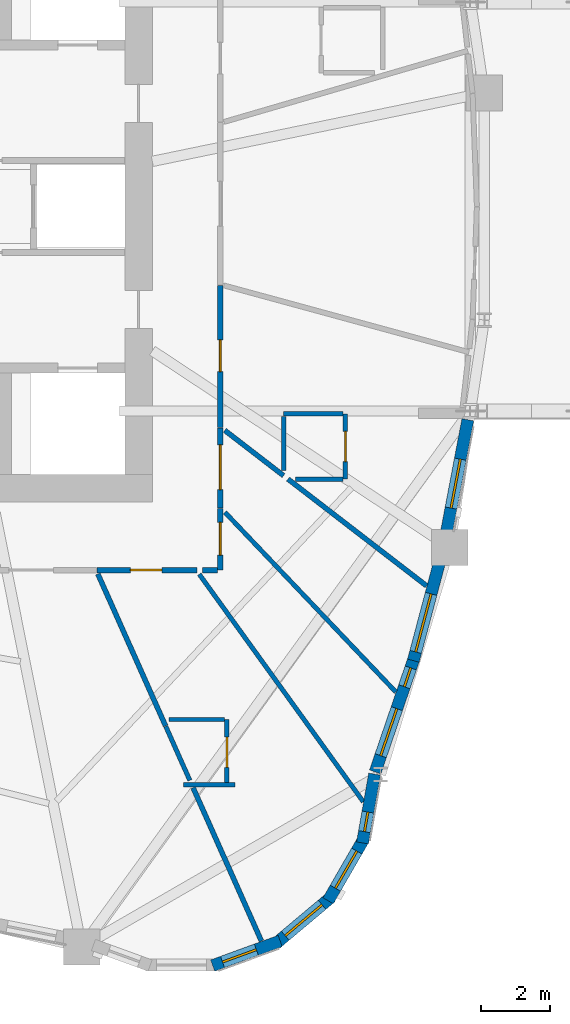
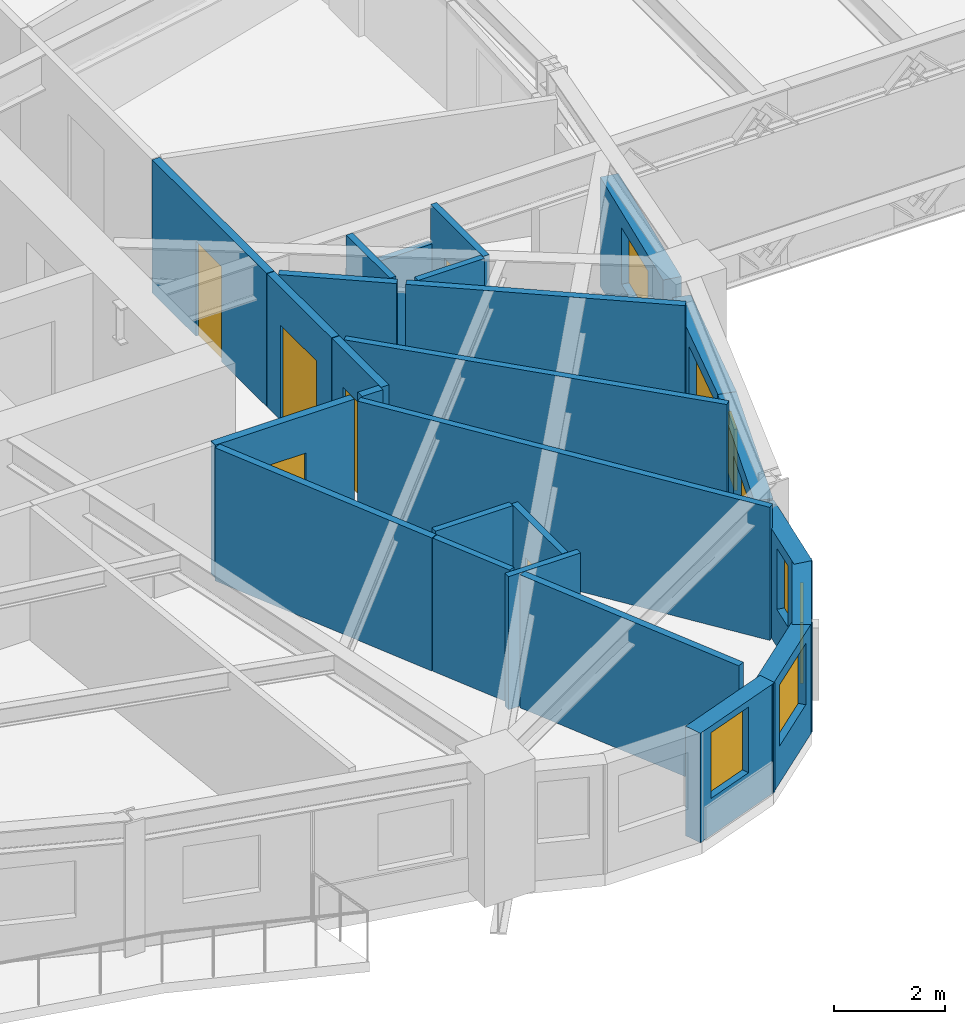
# One storey, part 9 of 18: 26 walls, 8 windows, 6 doors, 14 openings.
"""IFC4 building model written with IfcOpenShell, lengths in metres."""

from ifc_helpers import new_model, si_unit, direction, frame, frame_2d, origin, place, context, subcontext, project, spatial, rectangle, extrude, source, transform, mapped, material, layer, layer_set, type_object, element, fill, save


model = new_model("IFC4")

# Units and contexts
model_context = context("Model", 3, precision=1e-05, world=origin(), true_north=direction((0.0, 1.0)))
body_context = subcontext(model_context, "Body", "Model", "MODEL_VIEW")
ifc_project = project(units=[si_unit("LENGTHUNIT", "METRE"), si_unit("AREAUNIT", "SQUARE_METRE"), si_unit("VOLUMEUNIT", "CUBIC_METRE"), si_unit("PLANEANGLEUNIT", "RADIAN"), si_unit("MASSUNIT", "GRAM", prefix="KILO")], contexts=[model_context])

# Site, building, storey
site_placement = place(None, origin())
site = spatial("IfcSite", under=ifc_project, at=site_placement, CompositionType="ELEMENT")
building_placement = place(site_placement, origin())
building = spatial("IfcBuilding", under=site, at=building_placement, Name="Qafzar Sky-Pleat Residences", CompositionType="ELEMENT")
storey_placement = place(building_placement, frame((0.0, 0.0, 27.0)))
storey = spatial("IfcBuildingStorey", under=building, at=storey_placement, Name="L07", CompositionType="ELEMENT", Elevation=27.0)

# Wall, opening, door
ifc_material_1 = material(Name="Acoustic gypsum plasterboard partition", Category="gypsum")
ifc_layer_1 = layer(ifc_material_1, 0.159912109375)
ifc_layer_set_1 = layer_set([ifc_layer_1], Name="Acoustic gypsum plasterboard partition")
wall_type_1 = type_object("IfcWallType", Name="PART-COR-160", PredefinedType="PARTITIONING", material=ifc_layer_set_1)
wall_1_placement = place(storey_placement, frame((38.679931640625, 23.698974609375, 0.0), z_axis=(0.0, 0.0, 1.0), x_axis=(0.0, -1.0, 0.0)))
wall_1 = element("IfcWall", 1, at=wall_1_placement, inside=storey, type_object=wall_type_1, Name="L07 Partition Wall PART-L07-PW-006", PredefinedType="PARTITIONING", context=body_context, shape_type="SweptSolid", body=[
    extrude(rectangle(XDim=4.135009765625, YDim=0.159912109375, at=frame_2d((2.0673828125, 0.0))), origin(), (0.0, 0.0, 1.0), 2.93505859375),
])
opening_1_placement = place(wall_1_placement, frame((1.58251953125, 0.0, 0.0)))
opening_1 = element("IfcOpeningElement", 2, at=opening_1_placement, cuts=wall_1, Name="Opening ID-04", PredefinedType="OPENING", context=body_context, shape_type="SweptSolid", body=[
    extrude(rectangle(XDim=0.919921875, YDim=2.10009765625, at=frame_2d((0.4599609375, 1.050048828125))), frame((0.0, 0.08984375, 0.0), z_axis=(0.0, -1.0, 0.0), x_axis=(1.0, 0.0, 0.0)), (0.0, 0.0, 1.0), 0.179931640625),
])
ifc_material_2 = material(Name="Timber-faced fire door", Category="wood")
door_type_1 = type_object("IfcDoorType", Name="DR-BED-920", OperationType="NOTDEFINED", PredefinedType="DOOR", material=ifc_material_2)
shared_shape_1 = source(origin(), body_context, "Body", "SweptSolid", [
    extrude(rectangle(XDim=0.919921875, YDim=2.10009765625, at=frame_2d((0.4599609375, 1.050048828125))), frame((0.0, 0.02490234375, 0.0), z_axis=(0.0, -1.0, 0.0), x_axis=(1.0, 0.0, 0.0)), (0.0, 0.0, 1.0), 0.050048828125),
])
door_1_placement = place(opening_1_placement, origin())
door_1 = element("IfcDoor", 3, at=door_1_placement, inside=storey, type_object=door_type_1, Name="L07 Co-Living Bedroom 8 Door", OperationType="SINGLE_SWING_LEFT", OverallHeight=2.10009765625, OverallWidth=0.919921875, PredefinedType="DOOR", context=body_context, shape_type="MappedRepresentation", body=[
    mapped(shared_shape_1, transform((0.0, 0.0, 0.0), x_axis=(1.0, 0.0, 0.0), y_axis=(0.0, 1.0, 0.0), z_axis=(0.0, 0.0, 1.0), scale=1.0)),
])
fill(opening_1, door_1)

wall_2_placement = place(storey_placement, frame((37.9951171875, 15.419921875, 0.0), z_axis=(0.0, 0.0, 1.0), x_axis=(-1.0, 0.0, 0.0)))
wall_2 = element("IfcWall", 4, at=wall_2_placement, inside=storey, type_object=wall_type_1, Name="L07 Partition Wall PART-L07-PW-015", PredefinedType="PARTITIONING", context=body_context, shape_type="SweptSolid", body=[
    extrude(rectangle(XDim=2.900146484375, YDim=0.159912109375, at=frame_2d((1.4501953125, 0.0))), origin(), (0.0, 0.0, 1.0), 2.93505859375),
])
opening_2_placement = place(wall_2_placement, frame((1.014404296875, 0.0, 0.0)))
opening_2 = element("IfcOpeningElement", 5, at=opening_2_placement, cuts=wall_2, Name="Opening ID-04", PredefinedType="OPENING", context=body_context, shape_type="SweptSolid", body=[
    extrude(rectangle(XDim=0.919921875, YDim=2.10009765625, at=frame_2d((0.4599609375, 1.050048828125))), frame((0.0, 0.08984375, 0.0), z_axis=(0.0, -1.0, 0.0), x_axis=(1.0, 0.0, 0.0)), (0.0, 0.0, 1.0), 0.179931640625),
])
door_2_placement = place(opening_2_placement, origin())
door_2 = element("IfcDoor", 6, at=door_2_placement, inside=storey, type_object=door_type_1, Name="L07 Co-Living Bedroom 7 Door", OperationType="SINGLE_SWING_LEFT", OverallHeight=2.10009765625, OverallWidth=0.919921875, PredefinedType="DOOR", context=body_context, shape_type="MappedRepresentation", body=[
    mapped(shared_shape_1, transform((0.0, 0.0, 0.0), x_axis=(1.0, 0.0, 0.0), y_axis=(0.0, 1.0, 0.0), z_axis=(0.0, 0.0, 1.0), scale=1.0)),
])
fill(opening_2, door_2)

wall_3_placement = place(storey_placement, frame((38.679931640625, 19.549072265625, 0.0), z_axis=(0.0, 0.0, 1.0), x_axis=(0.0, -1.0, 0.0)))
wall_3 = element("IfcWall", 7, at=wall_3_placement, inside=storey, type_object=wall_type_1, Name="L07 Partition Wall PART-L07-PW-016", PredefinedType="PARTITIONING", context=body_context, shape_type="SweptSolid", body=[
    extrude(rectangle(XDim=2.3310546875, YDim=0.159912109375, at=frame_2d((1.16552734375, 0.0))), origin(), (0.0, 0.0, 1.0), 2.93505859375),
])
opening_3_placement = place(wall_3_placement, frame((0.487548828125, 0.0, 0.0)))
opening_3 = element("IfcOpeningElement", 8, at=opening_3_placement, cuts=wall_3, Name="Opening ID-05", PredefinedType="OPENING", context=body_context, shape_type="SweptSolid", body=[
    extrude(rectangle(XDim=1.300048828125, YDim=2.10009765625, at=frame_2d((0.64990234375, 1.050048828125))), frame((0.0, 0.08984375, 0.0), z_axis=(0.0, -1.0, 0.0), x_axis=(1.0, 0.0, 0.0)), (0.0, 0.0, 1.0), 0.179931640625),
])
door_type_2 = type_object("IfcDoorType", Name="DR-LNG-1300", OperationType="DOUBLE_DOOR_SINGLE_SWING", PredefinedType="DOOR", material=ifc_material_2)
shared_shape_2 = source(origin(), body_context, "Body", "SweptSolid", [
    extrude(rectangle(XDim=1.300048828125, YDim=2.10009765625, at=frame_2d((0.64990234375, 1.050048828125))), frame((0.0, 0.02490234375, 0.0), z_axis=(0.0, -1.0, 0.0), x_axis=(1.0, 0.0, 0.0)), (0.0, 0.0, 1.0), 0.050048828125),
])
door_3_placement = place(opening_3_placement, origin())
door_3 = element("IfcDoor", 9, at=door_3_placement, inside=storey, type_object=door_type_2, Name="L07 Scholar Study Room Door", OperationType="DOUBLE_DOOR_SINGLE_SWING", OverallHeight=2.10009765625, OverallWidth=1.300048828125, PredefinedType="DOOR", context=body_context, shape_type="MappedRepresentation", body=[
    mapped(shared_shape_2, transform((0.0, 0.0, 0.0), x_axis=(1.0, 0.0, 0.0), y_axis=(0.0, 1.0, 0.0), z_axis=(0.0, 0.0, 1.0), scale=1.0)),
])
fill(opening_3, door_3)

wall_4_placement = place(storey_placement, frame((38.679931640625, 17.202880859375, 0.0), z_axis=(0.0, 0.0, 1.0), x_axis=(0.0, -1.0, 0.0)))
wall_4 = element("IfcWall", 10, at=wall_4_placement, inside=storey, type_object=wall_type_1, Name="L07 Partition Wall PART-L07-PW-030", PredefinedType="PARTITIONING", context=body_context, shape_type="SweptSolid", body=[
    extrude(rectangle(XDim=1.782958984375, YDim=0.159912109375, at=frame_2d((0.8916015625, 0.0))), origin(), (0.0, 0.0, 1.0), 2.93505859375),
])
opening_4_placement = place(wall_4_placement, frame((0.39794921875, 0.0, 0.0)))
opening_4 = element("IfcOpeningElement", 11, at=opening_4_placement, cuts=wall_4, Name="Opening ID-08", PredefinedType="OPENING", context=body_context, shape_type="SweptSolid", body=[
    extrude(rectangle(XDim=0.949951171875, YDim=2.10009765625, at=frame_2d((0.47509765625, 1.050048828125))), frame((0.0, 0.08984375, 0.0), z_axis=(0.0, -1.0, 0.0), x_axis=(1.0, 0.0, 0.0)), (0.0, 0.0, 1.0), 0.179931640625),
])
door_type_3 = type_object("IfcDoorType", Name="DR-AWC-950", OperationType="NOTDEFINED", PredefinedType="DOOR", material=ifc_material_2)
shared_shape_3 = source(origin(), body_context, "Body", "SweptSolid", [
    extrude(rectangle(XDim=0.949951171875, YDim=2.10009765625, at=frame_2d((0.47509765625, 1.050048828125))), frame((0.0, 0.02490234375, 0.0), z_axis=(0.0, -1.0, 0.0), x_axis=(1.0, 0.0, 0.0)), (0.0, 0.0, 1.0), 0.050048828125),
])
door_4_placement = place(opening_4_placement, origin())
door_4 = element("IfcDoor", 12, at=door_4_placement, inside=storey, type_object=door_type_3, Name="L07 Accessible Shared Washroom Door", OperationType="SINGLE_SWING_RIGHT", OverallHeight=2.10009765625, OverallWidth=0.949951171875, PredefinedType="DOOR", context=body_context, shape_type="MappedRepresentation", body=[
    mapped(shared_shape_3, transform((0.0, 0.0, 0.0), x_axis=(1.0, 0.0, 0.0), y_axis=(0.0, 1.0, 0.0), z_axis=(0.0, 0.0, 1.0), scale=1.0)),
])
fill(opening_4, door_4)

# Walls
wall_5_placement = place(storey_placement, frame((38.15576171875, 15.419921875, 0.0), z_axis=(0.0, 0.0, 1.0), x_axis=(1.0, 0.0, 0.0)))
element("IfcWall", 13, at=wall_5_placement, inside=storey, type_object=wall_type_1, Name="L07 Partition Wall PART-L07-PW-097", PredefinedType="PARTITIONING", context=body_context, shape_type="SweptSolid", body=[
    extrude(rectangle(XDim=0.436279296875, YDim=0.159912109375, at=frame_2d((0.21826171875, 0.0))), origin(), (0.0, 0.0, 1.0), 2.93505859375),
])
ifc_layer_2 = layer(ifc_material_1, 0.14501953125)
ifc_layer_set_2 = layer_set([ifc_layer_2], Name="Acoustic gypsum plasterboard partition")
wall_type_2 = type_object("IfcWallType", Name="PART-UNIT-145", PredefinedType="PARTITIONING", material=ifc_layer_set_2)
wall_6_placement = place(storey_placement, frame((40.64892578125, 18.06591796875, 0.0), z_axis=(0.0, 0.0, 1.0), x_axis=(0.792155051101, -0.610319895641, 0.0)))
element("IfcWall", 14, at=wall_6_placement, inside=storey, type_object=wall_type_2, Name="L07 Partition Wall PART-L07-PW-048", PredefinedType="PARTITIONING", context=body_context, shape_type="SweptSolid", body=[
    extrude(rectangle(XDim=5.0927734375, YDim=0.14501953125, at=frame_2d((2.54638671875, 0.0))), origin(), (0.0, 0.0, 1.0), 2.93505859375),
])
wall_7_placement = place(storey_placement, frame((37.88720703125, 9.082275390625, 0.0), z_axis=(0.0, 0.0, 1.0), x_axis=(0.406941066305, -0.913454415149, 0.0)))
element("IfcWall", 15, at=wall_7_placement, inside=storey, type_object=wall_type_2, Name="L07 Partition Wall PART-L07-PW-049", PredefinedType="PARTITIONING", context=body_context, shape_type="SweptSolid", body=[
    extrude(rectangle(XDim=4.8818359375, YDim=0.14501953125, at=frame_2d((2.44091796875, 0.0))), origin(), (0.0, 0.0, 1.0), 2.93505859375),
])
wall_8_placement = place(storey_placement, frame((35.115966796875, 15.30322265625, 0.0), z_axis=(0.0, 0.0, 1.0), x_axis=(0.406910733823, -0.913467927571, 0.0)))
element("IfcWall", 16, at=wall_8_placement, inside=storey, type_object=wall_type_2, Name="L07 Partition Wall PART-L07-PW-050", PredefinedType="PARTITIONING", context=body_context, shape_type="SweptSolid", body=[
    extrude(rectangle(XDim=4.8388671875, YDim=0.14501953125, at=frame_2d((2.41943359375, 0.0))), origin(), (0.0, 0.0, 1.0), 2.93505859375),
])
wall_9_placement = place(storey_placement, frame((38.810546875, 19.482421875, 0.0), z_axis=(0.0, 0.0, 1.0), x_axis=(0.792185877025, -0.61027988353, 0.0)))
element("IfcWall", 17, at=wall_9_placement, inside=storey, type_object=wall_type_2, Name="L07 Partition Wall PART-L07-PW-059", PredefinedType="PARTITIONING", context=body_context, shape_type="SweptSolid", body=[
    extrude(rectangle(XDim=2.155517578125, YDim=0.14501953125, at=frame_2d((1.07763671875, 0.0))), origin(), (0.0, 0.0, 1.0), 2.93505859375),
])

# Wall, opening, door
ifc_material_3 = material(Name="Moisture-resistant gypsum partition", Category="gypsum")
ifc_layer_3 = layer(ifc_material_3, 0.1298828125)
ifc_layer_set_3 = layer_set([ifc_layer_3], Name="Moisture-resistant gypsum partition")
wall_type_3 = type_object("IfcWallType", Name="PART-WET-130", PredefinedType="PARTITIONING", material=ifc_layer_set_3)
wall_10_placement = place(storey_placement, frame((42.318115234375, 18.06591796875, 0.0), z_axis=(0.0, 0.0, 1.0), x_axis=(0.0, 1.0, 0.0)))
wall_10 = element("IfcWall", 18, at=wall_10_placement, inside=storey, type_object=wall_type_3, Name="L07 Partition Wall PART-L07-PW-020", PredefinedType="PARTITIONING", context=body_context, shape_type="SweptSolid", body=[
    extrude(rectangle(XDim=1.900146484375, YDim=0.1298828125, at=frame_2d((0.9501953125, 0.0))), origin(), (0.0, 0.0, 1.0), 2.93505859375),
])
opening_5_placement = place(wall_10_placement, frame((0.510009765625, 0.0, 0.0)))
opening_5 = element("IfcOpeningElement", 19, at=opening_5_placement, cuts=wall_10, Name="Opening ID-07", PredefinedType="OPENING", context=body_context, shape_type="SweptSolid", body=[
    extrude(rectangle(XDim=0.8798828125, YDim=2.050048828125, at=frame_2d((0.43994140625, 1.02490234375))), frame((0.0, 0.074951171875, 0.0), z_axis=(0.0, -1.0, 0.0), x_axis=(1.0, 0.0, 0.0)), (0.0, 0.0, 1.0), 0.14990234375),
])
door_type_4 = type_object("IfcDoorType", Name="DR-WET-880", OperationType="NOTDEFINED", PredefinedType="DOOR", material=ifc_material_2)
shared_shape_4 = source(origin(), body_context, "Body", "SweptSolid", [
    extrude(rectangle(XDim=0.8798828125, YDim=2.050048828125, at=frame_2d((0.43994140625, 1.02490234375))), frame((0.0, 0.02490234375, 0.0), z_axis=(0.0, -1.0, 0.0), x_axis=(1.0, 0.0, 0.0)), (0.0, 0.0, 1.0), 0.050048828125),
])
door_5_placement = place(opening_5_placement, origin())
door_5 = element("IfcDoor", 20, at=door_5_placement, inside=storey, type_object=door_type_4, Name="L07 En-suite Bathroom 8 Door", OperationType="SINGLE_SWING_RIGHT", OverallHeight=2.050048828125, OverallWidth=0.8798828125, PredefinedType="DOOR", context=body_context, shape_type="MappedRepresentation", body=[
    mapped(shared_shape_4, transform((0.0, 0.0, 0.0), x_axis=(1.0, 0.0, 0.0), y_axis=(0.0, 1.0, 0.0), z_axis=(0.0, 0.0, 1.0), scale=1.0)),
])
fill(opening_5, door_5)

wall_11_placement = place(storey_placement, frame((38.8701171875, 9.241943359375, 0.0), z_axis=(0.0, 0.0, 1.0), x_axis=(0.0, 1.0, 0.0)))
wall_11 = element("IfcWall", 21, at=wall_11_placement, inside=storey, type_object=wall_type_3, Name="L07 Partition Wall PART-L07-PW-022", PredefinedType="PARTITIONING", context=body_context, shape_type="SweptSolid", body=[
    extrude(rectangle(XDim=1.8271484375, YDim=0.1298828125, at=frame_2d((0.91357421875, 0.0))), origin(), (0.0, 0.0, 1.0), 2.93505859375),
])
opening_6_placement = place(wall_11_placement, frame((0.43701171875, 0.0, 0.0)))
opening_6 = element("IfcOpeningElement", 22, at=opening_6_placement, cuts=wall_11, Name="Opening ID-07", PredefinedType="OPENING", context=body_context, shape_type="SweptSolid", body=[
    extrude(rectangle(XDim=0.8798828125, YDim=2.050048828125, at=frame_2d((0.43994140625, 1.02490234375))), frame((0.0, 0.074951171875, 0.0), z_axis=(0.0, -1.0, 0.0), x_axis=(1.0, 0.0, 0.0)), (0.0, 0.0, 1.0), 0.14990234375),
])
door_6_placement = place(opening_6_placement, origin())
door_6 = element("IfcDoor", 23, at=door_6_placement, inside=storey, type_object=door_type_4, Name="L07 En-suite Bathroom 7 Door", OperationType="SINGLE_SWING_RIGHT", OverallHeight=2.050048828125, OverallWidth=0.8798828125, PredefinedType="DOOR", context=body_context, shape_type="MappedRepresentation", body=[
    mapped(shared_shape_4, transform((0.0, 0.0, 0.0), x_axis=(1.0, 0.0, 0.0), y_axis=(0.0, 1.0, 0.0), z_axis=(0.0, 0.0, 1.0), scale=1.0)),
])
fill(opening_6, door_6)

# Walls
wall_12_placement = place(storey_placement, frame((38.06689453125, 15.29541015625, 0.0), z_axis=(0.0, 0.0, 1.0), x_axis=(0.584777320582, -0.811193864211, 0.0)))
element("IfcWall", 24, at=wall_12_placement, inside=storey, type_object=wall_type_3, Name="L07 Partition Wall PART-L07-PW-039", PredefinedType="PARTITIONING", context=body_context, shape_type="SweptSolid", body=[
    extrude(rectangle(XDim=8.16357421875, YDim=0.1298828125, at=frame_2d((4.081787109375, 0.0))), origin(), (0.0, 0.0, 1.0), 2.93505859375),
])
wall_13_placement = place(storey_placement, frame((38.8125, 17.1005859375, 0.0), z_axis=(0.0, 0.0, 1.0), x_axis=(0.689140556814, -0.724627692649, 0.0)))
element("IfcWall", 25, at=wall_13_placement, inside=storey, type_object=wall_type_3, Name="L07 Partition Wall PART-L07-PW-044", PredefinedType="PARTITIONING", context=body_context, shape_type="SweptSolid", body=[
    extrude(rectangle(XDim=7.216796875, YDim=0.1298828125, at=frame_2d((3.6083984375, 0.0))), origin(), (0.0, 0.0, 1.0), 2.93505859375),
])
wall_14_placement = place(storey_placement, frame((37.091064453125, 10.869140625, 0.0), z_axis=(0.0, 0.0, 1.0), x_axis=(0.406835672622, -0.913501360416, 0.0)))
element("IfcWall", 26, at=wall_14_placement, inside=storey, type_object=wall_type_3, Name="L07 Partition Wall PART-L07-PW-067", PredefinedType="PARTITIONING", context=body_context, shape_type="SweptSolid", body=[
    extrude(rectangle(XDim=1.7216796875, YDim=0.1298828125, at=frame_2d((0.86083984375, 0.0))), origin(), (0.0, 0.0, 1.0), 2.93505859375),
])
wall_15_placement = place(storey_placement, frame((37.186279296875, 11.069091796875, 0.0), z_axis=(0.0, 0.0, 1.0), x_axis=(1.0, 0.0, 0.0)))
element("IfcWall", 27, at=wall_15_placement, inside=storey, type_object=wall_type_3, Name="L07 Partition Wall PART-L07-PW-075", PredefinedType="PARTITIONING", context=body_context, shape_type="SweptSolid", body=[
    extrude(rectangle(XDim=1.61083984375, YDim=0.1298828125, at=frame_2d((0.805419921875, 0.0))), origin(), (0.0, 0.0, 1.0), 2.93505859375),
])
wall_16_placement = place(storey_placement, frame((40.51806640625, 19.966064453125, 0.0), z_axis=(0.0, 0.0, 1.0), x_axis=(1.0, 0.0, 0.0)))
element("IfcWall", 28, at=wall_16_placement, inside=storey, type_object=wall_type_3, Name="L07 Partition Wall PART-L07-PW-076", PredefinedType="PARTITIONING", context=body_context, shape_type="SweptSolid", body=[
    extrude(rectangle(XDim=1.72705078125, YDim=0.1298828125, at=frame_2d((0.863525390625, 0.0))), origin(), (0.0, 0.0, 1.0), 2.10302734375),
])
wall_17_placement = place(storey_placement, frame((40.51806640625, 18.316650390625, 0.0), z_axis=(0.0, 0.0, 1.0), x_axis=(0.0, 1.0, 0.0)))
element("IfcWall", 29, at=wall_17_placement, inside=storey, type_object=wall_type_3, Name="L07 Partition Wall PART-L07-PW-079", PredefinedType="PARTITIONING", context=body_context, shape_type="SweptSolid", body=[
    extrude(rectangle(XDim=1.576416015625, YDim=0.1298828125, at=frame_2d((0.7880859375, 0.0))), origin(), (0.0, 0.0, 1.0), 2.93505859375),
])
wall_18_placement = place(storey_placement, frame((40.860107421875, 18.06591796875, 0.0), z_axis=(0.0, 0.0, 1.0), x_axis=(1.0, 0.0, 0.0)))
element("IfcWall", 30, at=wall_18_placement, inside=storey, type_object=wall_type_3, Name="L07 Partition Wall PART-L07-PW-085", PredefinedType="PARTITIONING", context=body_context, shape_type="SweptSolid", body=[
    extrude(rectangle(XDim=1.385009765625, YDim=0.1298828125, at=frame_2d((0.6923828125, 0.0))), origin(), (0.0, 0.0, 1.0), 2.93505859375),
])
wall_19_placement = place(storey_placement, frame((37.60888671875, 9.1689453125, 0.0), z_axis=(0.0, 0.0, 1.0), x_axis=(1.0, 0.0, 0.0)))
element("IfcWall", 31, at=wall_19_placement, inside=storey, type_object=wall_type_3, Name="L07 Partition Wall PART-L07-PW-094", PredefinedType="PARTITIONING", context=body_context, shape_type="SweptSolid", body=[
    extrude(rectangle(XDim=1.501220703125, YDim=0.1298828125, at=frame_2d((0.75048828125, 0.0))), origin(), (0.0, 0.0, 1.0), 2.93505859375),
])

# Wall, opening, window
ifc_material_4 = material(Name="Precast concrete C40/50 with honed Riyadh limestone", Category="concrete")
ifc_layer_4 = layer(ifc_material_4, 0.35009765625)
ifc_layer_set_4 = layer_set([ifc_layer_4], Name="Precast concrete C40/50 with honed Riyadh limestone")
wall_type_4 = type_object("IfcWallType", Name="WALL-EXT-350", PredefinedType="SOLIDWALL", material=ifc_layer_set_4)
wall_20_placement = place(storey_placement, frame((38.45654296875, 3.9072265625, 0.0), z_axis=(0.0, 0.0, 1.0), x_axis=(0.939711556618, 0.341968113072, 0.0)))
wall_20 = element("IfcWall", 32, at=wall_20_placement, inside=storey, type_object=wall_type_4, Name="L07 Limestone Facade Wall 19", PredefinedType="SOLIDWALL", context=body_context, shape_type="SweptSolid", body=[
    extrude(rectangle(XDim=2.09033203125, YDim=0.35009765625, at=frame_2d((1.045166015625, 0.0))), origin(), (0.0, 0.0, 1.0), 2.4150390625),
])
opening_7_placement = place(wall_20_placement, frame((0.303955078125, 0.0, 0.820068359375)))
opening_7 = element("IfcOpeningElement", 33, at=opening_7_placement, cuts=wall_20, Name="Opening WN-06", PredefinedType="OPENING", context=body_context, shape_type="SweptSolid", body=[
    extrude(rectangle(XDim=1.050048828125, YDim=1.449951171875, at=frame_2d((0.52490234375, 0.72509765625))), frame((0.0, 0.18505859375, 0.0), z_axis=(0.0, -1.0, 0.0), x_axis=(1.0, 0.0, 0.0)), (0.0, 0.0, 1.0), 0.3701171875),
])
ifc_material_5 = material(Name="Solar-control low-E glass in bronze aluminium frame", Category="glass")
window_type_1 = type_object("IfcWindowType", Name="WIN-06", PartitioningType="SINGLE_PANEL", PredefinedType="WINDOW", material=ifc_material_5)
shared_shape_5 = source(origin(), body_context, "Body", "SweptSolid", [
    extrude(rectangle(XDim=1.050048828125, YDim=1.449951171875, at=frame_2d((0.52490234375, 0.72509765625))), frame((0.0, 0.030029296875, 0.0), z_axis=(0.0, -1.0, 0.0), x_axis=(1.0, 0.0, 0.0)), (0.0, 0.0, 1.0), 0.06005859375),
])
window_1_placement = place(opening_7_placement, origin())
window_1 = element("IfcWindow", 34, at=window_1_placement, inside=storey, type_object=window_type_1, Name="L07 Punched Facade Window 19", OverallHeight=1.449951171875, OverallWidth=1.050048828125, PartitioningType="SINGLE_PANEL", PredefinedType="WINDOW", context=body_context, shape_type="MappedRepresentation", body=[
    mapped(shared_shape_5, transform((0.0, 0.0, 0.0), x_axis=(1.0, 0.0, 0.0), y_axis=(0.0, 1.0, 0.0), z_axis=(0.0, 0.0, 1.0), scale=1.0)),
])
fill(opening_7, window_1)

wall_21_placement = place(storey_placement, frame((40.303466796875, 4.55419921875, 0.0), z_axis=(0.0, 0.0, 1.0), x_axis=(0.766024572719, 0.642811289563, 0.0)))
wall_21 = element("IfcWall", 35, at=wall_21_placement, inside=storey, type_object=wall_type_4, Name="L07 Limestone Facade Wall 20", PredefinedType="SOLIDWALL", context=body_context, shape_type="SweptSolid", body=[
    extrude(rectangle(XDim=2.09033203125, YDim=0.35009765625, at=frame_2d((1.045166015625, 0.0))), origin(), (0.0, 0.0, 1.0), 2.4150390625),
])
opening_8_placement = place(wall_21_placement, frame((0.34521484375, 0.0, 0.820068359375)))
opening_8 = element("IfcOpeningElement", 36, at=opening_8_placement, cuts=wall_21, Name="Opening WN-10", PredefinedType="OPENING", context=body_context, shape_type="SweptSolid", body=[
    extrude(rectangle(XDim=1.39990234375, YDim=1.35009765625, at=frame_2d((0.699951171875, 0.675048828125))), frame((0.0, 0.18505859375, 0.0), z_axis=(0.0, -1.0, 0.0), x_axis=(1.0, 0.0, 0.0)), (0.0, 0.0, 1.0), 0.3701171875),
])
window_type_2 = type_object("IfcWindowType", Name="WIN-10", PartitioningType="SINGLE_PANEL", PredefinedType="WINDOW", material=ifc_material_5)
shared_shape_6 = source(origin(), body_context, "Body", "SweptSolid", [
    extrude(rectangle(XDim=1.39990234375, YDim=1.35009765625, at=frame_2d((0.699951171875, 0.675048828125))), frame((0.0, 0.030029296875, 0.0), z_axis=(0.0, -1.0, 0.0), x_axis=(1.0, 0.0, 0.0)), (0.0, 0.0, 1.0), 0.06005859375),
])
window_2_placement = place(opening_8_placement, origin())
window_2 = element("IfcWindow", 37, at=window_2_placement, inside=storey, type_object=window_type_2, Name="L07 Punched Facade Window 20", OverallHeight=1.35009765625, OverallWidth=1.39990234375, PartitioningType="SINGLE_PANEL", PredefinedType="WINDOW", context=body_context, shape_type="MappedRepresentation", body=[
    mapped(shared_shape_6, transform((0.0, 0.0, 0.0), x_axis=(1.0, 0.0, 0.0), y_axis=(0.0, 1.0, 0.0), z_axis=(0.0, 0.0, 1.0), scale=1.0)),
])
fill(opening_8, window_2)

wall_22_placement = place(storey_placement, frame((41.8173828125, 5.7939453125, 0.0), z_axis=(0.0, 0.0, 1.0), x_axis=(0.499995423472, 0.866028046028, 0.0)))
wall_22 = element("IfcWall", 38, at=wall_22_placement, inside=storey, type_object=wall_type_4, Name="L07 Limestone Facade Wall 21", PredefinedType="SOLIDWALL", context=body_context, shape_type="SweptSolid", body=[
    extrude(rectangle(XDim=2.09033203125, YDim=0.35009765625, at=frame_2d((1.045166015625, 0.0))), origin(), (0.0, 0.0, 1.0), 2.4150390625),
])
opening_9_placement = place(wall_22_placement, frame((0.420166015625, 0.0, 0.820068359375)))
opening_9 = element("IfcOpeningElement", 39, at=opening_9_placement, cuts=wall_22, Name="Opening WN-11", PredefinedType="OPENING", context=body_context, shape_type="SweptSolid", body=[
    extrude(rectangle(XDim=1.25, YDim=1.35009765625, at=frame_2d((0.625, 0.675048828125))), frame((0.0, 0.18505859375, 0.0), z_axis=(0.0, -1.0, 0.0), x_axis=(1.0, 0.0, 0.0)), (0.0, 0.0, 1.0), 0.3701171875),
])
window_type_3 = type_object("IfcWindowType", Name="WIN-11", PartitioningType="SINGLE_PANEL", PredefinedType="WINDOW", material=ifc_material_5)
shared_shape_7 = source(origin(), body_context, "Body", "SweptSolid", [
    extrude(rectangle(XDim=1.25, YDim=1.35009765625, at=frame_2d((0.625, 0.675048828125))), frame((0.0, 0.030029296875, 0.0), z_axis=(0.0, -1.0, 0.0), x_axis=(1.0, 0.0, 0.0)), (0.0, 0.0, 1.0), 0.06005859375),
])
window_3_placement = place(opening_9_placement, origin())
window_3 = element("IfcWindow", 40, at=window_3_placement, inside=storey, type_object=window_type_3, Name="L07 Punched Facade Window 21", OverallHeight=1.35009765625, OverallWidth=1.25, PartitioningType="SINGLE_PANEL", PredefinedType="WINDOW", context=body_context, shape_type="MappedRepresentation", body=[
    mapped(shared_shape_7, transform((0.0, 0.0, 0.0), x_axis=(1.0, 0.0, 0.0), y_axis=(0.0, 1.0, 0.0), z_axis=(0.0, 0.0, 1.0), scale=1.0)),
])
fill(opening_9, window_3)

wall_23_placement = place(storey_placement, frame((42.81640625, 7.476806640625, 0.0), z_axis=(0.0, 0.0, 1.0), x_axis=(0.173586593252, 0.984818610021, 0.0)))
wall_23 = element("IfcWall", 41, at=wall_23_placement, inside=storey, type_object=wall_type_4, Name="L07 Limestone Facade Wall 22", PredefinedType="SOLIDWALL", context=body_context, shape_type="SweptSolid", body=[
    extrude(rectangle(XDim=2.0322265625, YDim=0.35009765625, at=frame_2d((1.01611328125, 0.0))), origin(), (0.0, 0.0, 1.0), 2.4150390625),
])
opening_10_placement = place(wall_23_placement, frame((0.33203125, 0.0, 0.820068359375)))
opening_10 = element("IfcOpeningElement", 42, at=opening_10_placement, cuts=wall_23, Name="Opening WN-17", PredefinedType="OPENING", context=body_context, shape_type="SweptSolid", body=[
    extrude(rectangle(XDim=0.580078125, YDim=1.35009765625, at=frame_2d((0.2900390625, 0.675048828125))), frame((0.0, 0.18505859375, 0.0), z_axis=(0.0, -1.0, 0.0), x_axis=(1.0, 0.0, 0.0)), (0.0, 0.0, 1.0), 0.3701171875),
])
window_type_4 = type_object("IfcWindowType", Name="WIN-17", PartitioningType="SINGLE_PANEL", PredefinedType="WINDOW", material=ifc_material_5)
shared_shape_8 = source(origin(), body_context, "Body", "SweptSolid", [
    extrude(rectangle(XDim=0.580078125, YDim=1.35009765625, at=frame_2d((0.2900390625, 0.675048828125))), frame((0.0, 0.030029296875, 0.0), z_axis=(0.0, -1.0, 0.0), x_axis=(1.0, 0.0, 0.0)), (0.0, 0.0, 1.0), 0.06005859375),
])
window_4_placement = place(opening_10_placement, origin())
window_4 = element("IfcWindow", 43, at=window_4_placement, inside=storey, type_object=window_type_4, Name="L07 Punched Facade Window 22", OverallHeight=1.35009765625, OverallWidth=0.580078125, PartitioningType="SINGLE_PANEL", PredefinedType="WINDOW", context=body_context, shape_type="MappedRepresentation", body=[
    mapped(shared_shape_8, transform((0.0, 0.0, 0.0), x_axis=(1.0, 0.0, 0.0), y_axis=(0.0, 1.0, 0.0), z_axis=(0.0, 0.0, 1.0), scale=1.0)),
])
fill(opening_10, window_4)

# Wall, openings, windows
wall_24_placement = place(storey_placement, frame((43.185791015625, 9.543212890625, 0.0), z_axis=(0.0, 0.0, 1.0), x_axis=(0.323620542135, 0.946186950189, 0.0)))
wall_24 = element("IfcWall", 44, at=wall_24_placement, inside=storey, type_object=wall_type_4, Name="L07 Limestone Facade Wall 23", PredefinedType="SOLIDWALL", context=body_context, shape_type="SweptSolid", body=[
    extrude(rectangle(XDim=3.512451171875, YDim=0.35009765625, at=frame_2d((1.75634765625, 0.0))), origin(), (0.0, 0.0, 1.0), 2.4150390625),
])
opening_11_placement = place(wall_24_placement, frame((0.497802734375, 0.0, 0.820068359375)))
opening_11 = element("IfcOpeningElement", 45, at=opening_11_placement, cuts=wall_24, Name="Opening WN-15", PredefinedType="OPENING", context=body_context, shape_type="SweptSolid", body=[
    extrude(rectangle(XDim=1.449951171875, YDim=1.25, at=frame_2d((0.72509765625, 0.625))), frame((0.0, 0.18505859375, 0.0), z_axis=(0.0, -1.0, 0.0), x_axis=(1.0, 0.0, 0.0)), (0.0, 0.0, 1.0), 0.3701171875),
])
opening_12_placement = place(wall_24_placement, frame((2.619384765625, 0.0, 0.820068359375)))
opening_12 = element("IfcOpeningElement", 46, at=opening_12_placement, cuts=wall_24, Name="Opening WN-17", PredefinedType="OPENING", context=body_context, shape_type="SweptSolid", body=[
    extrude(rectangle(XDim=0.580078125, YDim=1.35009765625, at=frame_2d((0.2900390625, 0.675048828125))), frame((0.0, 0.18505859375, 0.0), z_axis=(0.0, -1.0, 0.0), x_axis=(1.0, 0.0, 0.0)), (0.0, 0.0, 1.0), 0.3701171875),
])
window_type_5 = type_object("IfcWindowType", Name="WIN-15", PartitioningType="SINGLE_PANEL", PredefinedType="WINDOW", material=ifc_material_5)
shared_shape_9 = source(origin(), body_context, "Body", "SweptSolid", [
    extrude(rectangle(XDim=1.449951171875, YDim=1.25, at=frame_2d((0.72509765625, 0.625))), frame((0.0, 0.030029296875, 0.0), z_axis=(0.0, -1.0, 0.0), x_axis=(1.0, 0.0, 0.0)), (0.0, 0.0, 1.0), 0.06005859375),
])
window_5_placement = place(opening_11_placement, origin())
window_5 = element("IfcWindow", 47, at=window_5_placement, inside=storey, type_object=window_type_5, Name="L07 Punched Facade Window 23", OverallHeight=1.25, OverallWidth=1.449951171875, PartitioningType="SINGLE_PANEL", PredefinedType="WINDOW", context=body_context, shape_type="MappedRepresentation", body=[
    mapped(shared_shape_9, transform((0.0, 0.0, 0.0), x_axis=(1.0, 0.0, 0.0), y_axis=(0.0, 1.0, 0.0), z_axis=(0.0, 0.0, 1.0), scale=1.0)),
])
fill(opening_11, window_5)
window_6_placement = place(opening_12_placement, origin())
window_6 = element("IfcWindow", 48, at=window_6_placement, inside=storey, type_object=window_type_4, Name="L07 Punched Facade Window 23-2", OverallHeight=1.35009765625, OverallWidth=0.580078125, PartitioningType="SINGLE_PANEL", PredefinedType="WINDOW", context=body_context, shape_type="MappedRepresentation", body=[
    mapped(shared_shape_8, transform((0.0, 0.0, 0.0), x_axis=(1.0, 0.0, 0.0), y_axis=(0.0, 1.0, 0.0), z_axis=(0.0, 0.0, 1.0), scale=1.0)),
])
fill(opening_12, window_6)

# Wall, opening, window
wall_25_placement = place(storey_placement, frame((44.296875, 12.782470703125, 0.0), z_axis=(0.0, 0.0, 1.0), x_axis=(0.257090265476, 0.96638739406, 0.0)))
wall_25 = element("IfcWall", 49, at=wall_25_placement, inside=storey, type_object=wall_type_4, Name="L07 Limestone Facade Wall 24", PredefinedType="SOLIDWALL", context=body_context, shape_type="SweptSolid", body=[
    extrude(rectangle(XDim=3.159423828125, YDim=0.35009765625, at=frame_2d((1.57958984375, 0.0))), origin(), (0.0, 0.0, 1.0), 2.4150390625),
])
opening_13_placement = place(wall_25_placement, frame((0.261474609375, 0.0, 0.820068359375)))
opening_13 = element("IfcOpeningElement", 50, at=opening_13_placement, cuts=wall_25, Name="Opening WN-14", PredefinedType="OPENING", context=body_context, shape_type="SweptSolid", body=[
    extrude(rectangle(XDim=1.75, YDim=1.300048828125, at=frame_2d((0.875, 0.64990234375))), frame((0.0, 0.18505859375, 0.0), z_axis=(0.0, -1.0, 0.0), x_axis=(1.0, 0.0, 0.0)), (0.0, 0.0, 1.0), 0.3701171875),
])
window_type_6 = type_object("IfcWindowType", Name="WIN-14", PartitioningType="DOUBLE_PANEL_VERTICAL", PredefinedType="WINDOW", material=ifc_material_5)
shared_shape_10 = source(origin(), body_context, "Body", "SweptSolid", [
    extrude(rectangle(XDim=1.75, YDim=1.300048828125, at=frame_2d((0.875, 0.64990234375))), frame((0.0, 0.030029296875, 0.0), z_axis=(0.0, -1.0, 0.0), x_axis=(1.0, 0.0, 0.0)), (0.0, 0.0, 1.0), 0.06005859375),
])
window_7_placement = place(opening_13_placement, origin())
window_7 = element("IfcWindow", 51, at=window_7_placement, inside=storey, type_object=window_type_6, Name="L07 Punched Facade Window 24", OverallHeight=1.300048828125, OverallWidth=1.75, PartitioningType="SINGLE_PANEL", PredefinedType="WINDOW", context=body_context, shape_type="MappedRepresentation", body=[
    mapped(shared_shape_10, transform((0.0, 0.0, 0.0), x_axis=(1.0, 0.0, 0.0), y_axis=(0.0, 1.0, 0.0), z_axis=(0.0, 0.0, 1.0), scale=1.0)),
])
fill(opening_13, window_7)

wall_26_placement = place(storey_placement, frame((45.239501953125, 16.407958984375, 0.0), z_axis=(0.0, 0.0, 1.0), x_axis=(0.186636709983, 0.982428999209, 0.0)))
wall_26 = element("IfcWall", 52, at=wall_26_placement, inside=storey, type_object=wall_type_4, Name="L07 Limestone Facade Wall 25", PredefinedType="SOLIDWALL", context=body_context, shape_type="SweptSolid", body=[
    extrude(rectangle(XDim=3.445556640625, YDim=0.35009765625, at=frame_2d((1.72265625, 0.0))), origin(), (0.0, 0.0, 1.0), 2.4150390625),
])
opening_14_placement = place(wall_26_placement, frame((0.827880859375, 0.0, 0.820068359375)))
opening_14 = element("IfcOpeningElement", 53, at=opening_14_placement, cuts=wall_26, Name="Opening WN-15", PredefinedType="OPENING", context=body_context, shape_type="SweptSolid", body=[
    extrude(rectangle(XDim=1.449951171875, YDim=1.25, at=frame_2d((0.72509765625, 0.625))), frame((0.0, 0.18505859375, 0.0), z_axis=(0.0, -1.0, 0.0), x_axis=(1.0, 0.0, 0.0)), (0.0, 0.0, 1.0), 0.3701171875),
])
window_8_placement = place(opening_14_placement, origin())
window_8 = element("IfcWindow", 54, at=window_8_placement, inside=storey, type_object=window_type_5, Name="L07 Punched Facade Window 25", OverallHeight=1.25, OverallWidth=1.449951171875, PartitioningType="SINGLE_PANEL", PredefinedType="WINDOW", context=body_context, shape_type="MappedRepresentation", body=[
    mapped(shared_shape_9, transform((0.0, 0.0, 0.0), x_axis=(1.0, 0.0, 0.0), y_axis=(0.0, 1.0, 0.0), z_axis=(0.0, 0.0, 1.0), scale=1.0)),
])
fill(opening_14, window_8)

save(model, "model.ifc")
